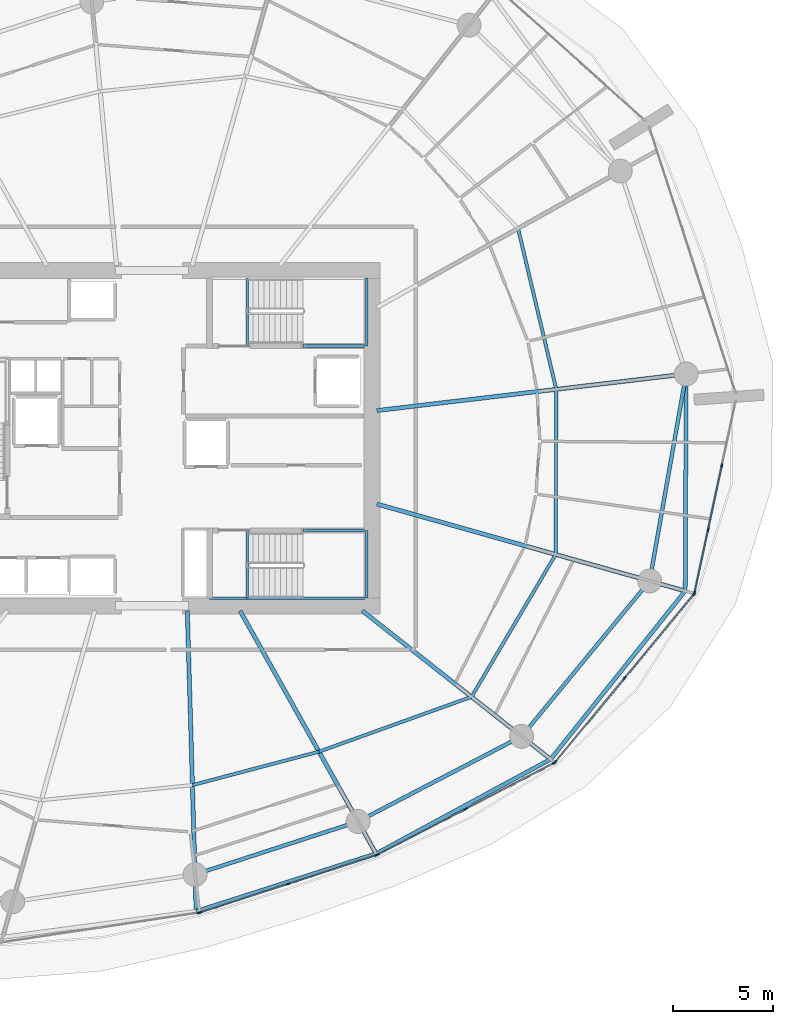
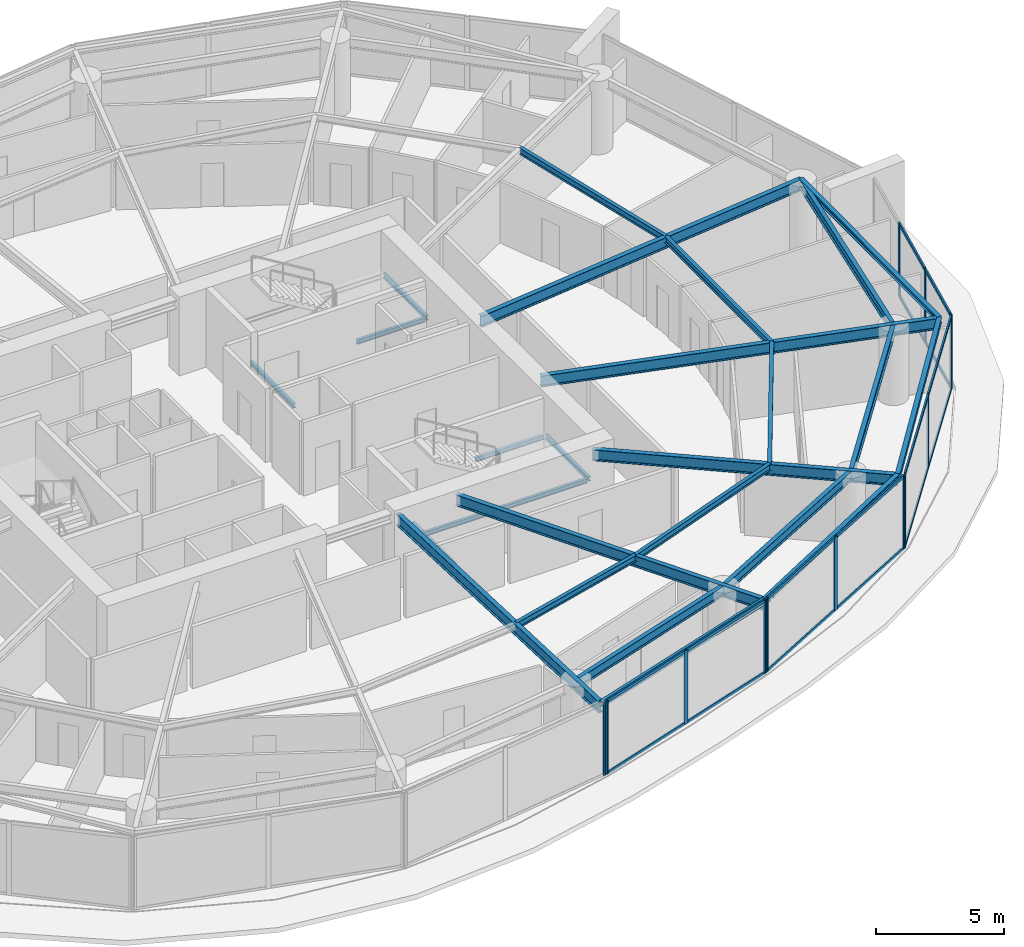
# One storey, part 7 of 17: 29 members, 25 beams, 5 elements without a shape of their own.
"""IFC4 building model written with IfcOpenShell, lengths in metres."""

from ifc_helpers import new_model, si_unit, direction, frame, origin, origin_2d, place, context, subcontext, project, spatial, rectangle, i_section, extrude, material, layer, layer_set, material_profile, profile_set, type_object, element, aggregate, save


model = new_model("IFC4")

# Units and contexts
model_context = context("Model", 3, precision=1e-05, world=origin(), true_north=direction((0.0, 1.0)))
body_context = subcontext(model_context, "Body", "Model", "MODEL_VIEW")
ifc_project = project(units=[si_unit("LENGTHUNIT", "METRE"), si_unit("AREAUNIT", "SQUARE_METRE"), si_unit("VOLUMEUNIT", "CUBIC_METRE"), si_unit("PLANEANGLEUNIT", "RADIAN"), si_unit("MASSUNIT", "GRAM", prefix="KILO")], contexts=[model_context])

# Site, building, storey
site_placement = place(None, origin())
site = spatial("IfcSite", under=ifc_project, at=site_placement, CompositionType="ELEMENT")
building_placement = place(site_placement, origin())
building = spatial("IfcBuilding", under=site, at=building_placement, Name="Kazma Halo Residences", CompositionType="ELEMENT")
storey_placement = place(building_placement, frame((0.0, 0.0, 75.14990234375)))
storey = spatial("IfcBuildingStorey", under=building, at=storey_placement, Name="L18", CompositionType="ELEMENT", Elevation=75.14990234375)

# Beams
ifc_material_1 = material(Name="Steel S355", Category="steel")
ifc_material_profile_1 = material_profile(ifc_material_1, i_section(OverallWidth=0.201904296875, OverallDepth=0.2470703125, WebThickness=0.00732421875, FlangeThickness=0.010986328125, FilletRadius=0.011962890625, at=origin_2d()), Name="W250x49.1")
ifc_profile_set_1 = profile_set([ifc_material_profile_1], Name="Steel S355")
beam_type_1 = type_object("IfcBeamType", Name="BM-BAL-CANT", PredefinedType="BEAM", material=ifc_profile_set_1)
beam_1_placement = place(storey_placement, frame((50.642578125, 18.28173828125, 3.376708984375), z_axis=(0.952319061301, 0.305103925709, 0.0), x_axis=(-0.305103925709, 0.952319061301, 0.0)))
element("IfcBeam", 1, at=beam_1_placement, inside=storey, type_object=beam_type_1, Name="L18 wave-balcony tie beam 12", PredefinedType="BEAM", context=body_context, shape_type="SweptSolid", body=[
    extrude(i_section(OverallWidth=0.201904296875, OverallDepth=0.2470703125, WebThickness=0.00732421875, FlangeThickness=0.010986328125, FilletRadius=0.011962890625, at=origin_2d()), origin(), (0.0, 0.0, 1.0), 9.473388671875),
])
beam_2_placement = place(storey_placement, frame((59.664306640625, 21.172119140625, 3.376708984375), z_axis=(0.87930438671, 0.476260218276, 0.0), x_axis=(-0.476260218276, 0.87930438671, 0.0)))
element("IfcBeam", 2, at=beam_2_placement, inside=storey, type_object=beam_type_1, Name="L18 wave-balcony tie beam 13", PredefinedType="BEAM", context=body_context, shape_type="SweptSolid", body=[
    extrude(i_section(OverallWidth=0.201904296875, OverallDepth=0.2470703125, WebThickness=0.00732421875, FlangeThickness=0.010986328125, FilletRadius=0.011962890625, at=origin_2d()), origin(), (0.0, 0.0, 1.0), 9.94677734375),
])
beam_3_placement = place(storey_placement, frame((68.41064453125, 25.909423828125, 3.376708984375), z_axis=(0.62477775999, 0.78080263231, 0.0), x_axis=(-0.78080263231, 0.62477775999, 0.0)))
element("IfcBeam", 3, at=beam_3_placement, inside=storey, type_object=beam_type_1, Name="L18 wave-balcony tie beam 14", PredefinedType="BEAM", context=body_context, shape_type="SweptSolid", body=[
    extrude(i_section(OverallWidth=0.201904296875, OverallDepth=0.2470703125, WebThickness=0.00732421875, FlangeThickness=0.010986328125, FilletRadius=0.011962890625, at=origin_2d()), origin(), (0.0, 0.0, 1.0), 10.79833984375),
])
beam_4_placement = place(storey_placement, frame((75.1572265625, 34.3408203125, 3.376708984375), z_axis=(0.004532963616, 0.999989726068, 0.0), x_axis=(-0.999989726068, 0.004532963616, 0.0)))
element("IfcBeam", 4, at=beam_4_placement, inside=storey, type_object=beam_type_1, Name="L18 wave-balcony tie beam 15", PredefinedType="BEAM", context=body_context, shape_type="SweptSolid", body=[
    extrude(i_section(OverallWidth=0.201904296875, OverallDepth=0.2470703125, WebThickness=0.00732421875, FlangeThickness=0.010986328125, FilletRadius=0.011962890625, at=origin_2d()), origin(), (0.0, 0.0, 1.0), 10.87939453125),
])
ifc_material_profile_2 = material_profile(ifc_material_1, i_section(OverallWidth=0.208984375, OverallDepth=0.532958984375, WebThickness=0.01025390625, FlangeThickness=0.015625, FilletRadius=0.01611328125, at=origin_2d()), Name="W530x92")
ifc_profile_set_2 = profile_set([ifc_material_profile_2], Name="Steel S355")
beam_type_2 = type_object("IfcBeamType", Name="BM-RAD-W530", PredefinedType="BEAM", material=ifc_profile_set_2)
beam_5_placement = place(storey_placement, frame((50.199951171875, 33.35009765625, 3.233642578125), z_axis=(0.029361929959, -0.999568845587, 0.0), x_axis=(0.999568845587, 0.029361929959, 0.0)))
element("IfcBeam", 5, at=beam_5_placement, inside=storey, type_object=beam_type_2, Name="L18 radial floor beam 12", PredefinedType="BEAM", context=body_context, shape_type="SweptSolid", body=[
    extrude(i_section(OverallWidth=0.208984375, OverallDepth=0.532958984375, WebThickness=0.01025390625, FlangeThickness=0.015625, FilletRadius=0.01611328125, at=origin_2d()), origin(), (0.0, 0.0, 1.0), 15.074951171875),
])
beam_6_placement = place(storey_placement, frame((52.84423828125, 33.35009765625, 3.233642578125), z_axis=(0.488625206529, -0.872493786536, 0.0), x_axis=(0.872493786536, 0.488625206529, 0.0)))
element("IfcBeam", 6, at=beam_6_placement, inside=storey, type_object=beam_type_2, Name="L18 radial floor beam 13", PredefinedType="BEAM", context=body_context, shape_type="SweptSolid", body=[
    extrude(i_section(OverallWidth=0.208984375, OverallDepth=0.532958984375, WebThickness=0.01025390625, FlangeThickness=0.015625, FilletRadius=0.01611328125, at=origin_2d()), origin(), (0.0, 0.0, 1.0), 13.957763671875),
])
beam_7_placement = place(storey_placement, frame((58.972412109375, 33.35009765625, 3.233642578125), z_axis=(0.785309999923, -0.619102741086, 0.0), x_axis=(0.619102741086, 0.785309999923, 0.0)))
element("IfcBeam", 7, at=beam_7_placement, inside=storey, type_object=beam_type_2, Name="L18 radial floor beam 14", PredefinedType="BEAM", context=body_context, shape_type="SweptSolid", body=[
    extrude(i_section(OverallWidth=0.208984375, OverallDepth=0.532958984375, WebThickness=0.01025390625, FlangeThickness=0.015625, FilletRadius=0.01611328125, at=origin_2d()), origin(), (0.0, 0.0, 1.0), 12.0185546875),
])
beam_8_placement = place(storey_placement, frame((59.699951171875, 38.7001953125, 3.233642578125), z_axis=(0.962455684158, -0.271438862419, 0.0), x_axis=(0.271438862419, 0.962455684158, 0.0)))
element("IfcBeam", 8, at=beam_8_placement, inside=storey, type_object=beam_type_2, Name="L18 radial floor beam 15", PredefinedType="BEAM", context=body_context, shape_type="SweptSolid", body=[
    extrude(i_section(OverallWidth=0.208984375, OverallDepth=0.532958984375, WebThickness=0.01025390625, FlangeThickness=0.015625, FilletRadius=0.01611328125, at=origin_2d()), origin(), (0.0, 0.0, 1.0), 16.060302734375),
])
beam_9_placement = place(storey_placement, frame((59.699951171875, 43.384765625, 3.233642578125), z_axis=(0.993067536486, 0.1175451742, 0.0), x_axis=(-0.1175451742, 0.993067536486, 0.0)))
element("IfcBeam", 9, at=beam_9_placement, inside=storey, type_object=beam_type_2, Name="L18 radial floor beam 16", PredefinedType="BEAM", context=body_context, shape_type="SweptSolid", body=[
    extrude(i_section(OverallWidth=0.208984375, OverallDepth=0.532958984375, WebThickness=0.01025390625, FlangeThickness=0.015625, FilletRadius=0.01611328125, at=origin_2d()), origin(), (0.0, 0.0, 1.0), 15.61474609375),
])
ifc_material_profile_3 = material_profile(ifc_material_1, i_section(OverallWidth=0.1650390625, OverallDepth=0.31005859375, WebThickness=0.005859375, FlangeThickness=0.009765625, FilletRadius=0.011962890625, at=origin_2d()), Name="W310x38.7")
ifc_profile_set_3 = profile_set([ifc_material_profile_3], Name="Steel S355")
beam_type_3 = type_object("IfcBeamType", Name="BM-SEC-W310B", PredefinedType="JOIST", material=ifc_profile_set_3)
beam_10_placement = place(storey_placement, frame((50.456787109375, 24.6103515625, 3.34521484375), z_axis=(0.966800191214, 0.255533540398, 0.0), x_axis=(-0.255533540398, 0.966800191214, 0.0)))
element("IfcBeam", 10, at=beam_10_placement, inside=storey, type_object=beam_type_3, Name="L18 circumferential floor joist 12", PredefinedType="JOIST", context=body_context, shape_type="SweptSolid", body=[
    extrude(i_section(OverallWidth=0.1650390625, OverallDepth=0.31005859375, WebThickness=0.005859375, FlangeThickness=0.009765625, FilletRadius=0.011962890625, at=origin_2d()), origin(), (0.0, 0.0, 1.0), 6.560791015625),
])
beam_11_placement = place(storey_placement, frame((56.7998046875, 26.286865234375, 3.34521484375), z_axis=(0.941097126818, 0.338136359913, 0.0), x_axis=(-0.338136359913, 0.941097126818, 0.0)))
element("IfcBeam", 11, at=beam_11_placement, inside=storey, type_object=beam_type_3, Name="L18 circumferential floor joist 13", PredefinedType="JOIST", context=body_context, shape_type="SweptSolid", body=[
    extrude(i_section(OverallWidth=0.1650390625, OverallDepth=0.31005859375, WebThickness=0.005859375, FlangeThickness=0.009765625, FilletRadius=0.011962890625, at=origin_2d()), origin(), (0.0, 0.0, 1.0), 8.12548828125),
])
beam_12_placement = place(storey_placement, frame((64.44677734375, 29.034423828125, 3.34521484375), z_axis=(0.508811652677, 0.860877867122, 0.0), x_axis=(-0.860877867122, 0.508811652677, 0.0)))
element("IfcBeam", 12, at=beam_12_placement, inside=storey, type_object=beam_type_3, Name="L18 circumferential floor joist 14", PredefinedType="JOIST", context=body_context, shape_type="SweptSolid", body=[
    extrude(i_section(OverallWidth=0.1650390625, OverallDepth=0.31005859375, WebThickness=0.005859375, FlangeThickness=0.009765625, FilletRadius=0.011962890625, at=origin_2d()), origin(), (0.0, 0.0, 1.0), 8.291015625),
])
beam_13_placement = place(storey_placement, frame((68.665283203125, 36.171875, 3.34521484375), z_axis=(0.003450899697, 0.999994045628, 0.0), x_axis=(-0.999994045628, 0.003450899697, 0.0)))
element("IfcBeam", 13, at=beam_13_placement, inside=storey, type_object=beam_type_3, Name="L18 circumferential floor joist 15", PredefinedType="JOIST", context=body_context, shape_type="SweptSolid", body=[
    extrude(i_section(OverallWidth=0.1650390625, OverallDepth=0.31005859375, WebThickness=0.005859375, FlangeThickness=0.009765625, FilletRadius=0.011962890625, at=origin_2d()), origin(), (0.0, 0.0, 1.0), 8.27734375),
])
beam_14_placement = place(storey_placement, frame((68.69384765625, 44.44921875, 3.34521484375), z_axis=(-0.231087064161, 0.972933075179, 0.0), x_axis=(-0.972933075179, -0.231087064161, 0.0)))
element("IfcBeam", 14, at=beam_14_placement, inside=storey, type_object=beam_type_3, Name="L18 circumferential floor joist 16", PredefinedType="JOIST", context=body_context, shape_type="SweptSolid", body=[
    extrude(i_section(OverallWidth=0.1650390625, OverallDepth=0.31005859375, WebThickness=0.005859375, FlangeThickness=0.009765625, FilletRadius=0.011962890625, at=origin_2d()), origin(), (0.0, 0.0, 1.0), 8.291259765625),
])
ifc_material_profile_4 = material_profile(ifc_material_1, i_section(OverallWidth=0.18994140625, OverallDepth=0.45703125, WebThickness=0.009033203125, FlangeThickness=0.014404296875, FilletRadius=0.01611328125, at=origin_2d()), Name="W460x74")
ifc_profile_set_4 = profile_set([ifc_material_profile_4], Name="Steel S355")
beam_type_4 = type_object("IfcBeamType", Name="BM-SPN-W460", PredefinedType="BEAM", material=ifc_profile_set_4)
beam_15_placement = place(storey_placement, frame((50.58837890625, 20.130859375, 3.271484375), z_axis=(0.951054111927, 0.30902439416, 0.0), x_axis=(-0.30902439416, 0.951054111927, 0.0)))
element("IfcBeam", 15, at=beam_15_placement, inside=storey, type_object=beam_type_4, Name="L18 perimeter ring beam 12", PredefinedType="BEAM", context=body_context, shape_type="SweptSolid", body=[
    extrude(i_section(OverallWidth=0.18994140625, OverallDepth=0.45703125, WebThickness=0.009033203125, FlangeThickness=0.014404296875, FilletRadius=0.01611328125, at=origin_2d()), origin(), (0.0, 0.0, 1.0), 8.592529296875),
])
beam_16_placement = place(storey_placement, frame((58.76025390625, 22.7861328125, 3.271484375), z_axis=(0.886963229644, 0.461840047266, 0.0), x_axis=(-0.461840047266, 0.886963229644, 0.0)))
element("IfcBeam", 16, at=beam_16_placement, inside=storey, type_object=beam_type_4, Name="L18 perimeter ring beam 13", PredefinedType="BEAM", context=body_context, shape_type="SweptSolid", body=[
    extrude(i_section(OverallWidth=0.18994140625, OverallDepth=0.45703125, WebThickness=0.009033203125, FlangeThickness=0.014404296875, FilletRadius=0.01611328125, at=origin_2d()), origin(), (0.0, 0.0, 1.0), 9.242431640625),
])
beam_17_placement = place(storey_placement, frame((66.9580078125, 27.0546875, 3.271484375), z_axis=(0.635989564566, 0.771697656963, 0.0), x_axis=(-0.771697656963, 0.635989564566, 0.0)))
element("IfcBeam", 17, at=beam_17_placement, inside=storey, type_object=beam_type_4, Name="L18 perimeter ring beam 14", PredefinedType="BEAM", context=body_context, shape_type="SweptSolid", body=[
    extrude(i_section(OverallWidth=0.18994140625, OverallDepth=0.45703125, WebThickness=0.009033203125, FlangeThickness=0.014404296875, FilletRadius=0.01611328125, at=origin_2d()), origin(), (0.0, 0.0, 1.0), 10.092529296875),
])
beam_18_placement = place(storey_placement, frame((73.376708984375, 34.843017578125, 3.271484375), z_axis=(0.173653159051, 0.984806874647, 0.0), x_axis=(-0.984806874647, 0.173653159051, 0.0)))
element("IfcBeam", 18, at=beam_18_placement, inside=storey, type_object=beam_type_4, Name="L18 perimeter ring beam 15", PredefinedType="BEAM", context=body_context, shape_type="SweptSolid", body=[
    extrude(i_section(OverallWidth=0.18994140625, OverallDepth=0.45703125, WebThickness=0.009033203125, FlangeThickness=0.014404296875, FilletRadius=0.01611328125, at=origin_2d()), origin(), (0.0, 0.0, 1.0), 10.537353515625),
])
ifc_material_profile_5 = material_profile(ifc_material_1, i_section(OverallWidth=0.133056640625, OverallDepth=0.20703125, WebThickness=0.005859375, FlangeThickness=0.00830078125, FilletRadius=0.010009765625, at=origin_2d()), Name="W200x26.6")
ifc_profile_set_5 = profile_set([ifc_material_profile_5], Name="Steel S355")
beam_type_5 = type_object("IfcBeamType", Name="BM-TRIM-W200", PredefinedType="BEAM", material=ifc_profile_set_5)
for number, where, z_axis, x_axis, name in (
    (19, (53.199951171875, 46.6201171875, -0.510009765625), (0.0, 1.0, 0.0), (-1.0, 0.0, 0.0), "L18 ST-02 floor landing support beam"),
    (20, (53.199951171875, 34.0, -0.510009765625), (0.0, 1.0, 0.0), (-1.0, 0.0, 0.0), "L18 ST-03 floor landing support beam"),
):
    element("IfcBeam", number, at=place(storey_placement, frame(where, z_axis=z_axis, x_axis=x_axis)), inside=storey, type_object=beam_type_5, Name=name, PredefinedType="BEAM", context=body_context, shape_type="SweptSolid", body=[
        extrude(i_section(OverallWidth=0.133056640625, OverallDepth=0.20703125, WebThickness=0.005859375, FlangeThickness=0.00830078125, FilletRadius=0.010009765625, at=origin_2d()), origin(), (0.0, 0.0, 1.0), 3.3798828125),
    ])
beam_19_placement = place(storey_placement, frame((56.0, 46.6201171875, 1.570068359375), z_axis=(1.0, 0.0, 0.0), x_axis=(0.0, 1.0, 0.0)))
element("IfcBeam", 21, at=beam_19_placement, inside=storey, type_object=beam_type_5, Name="L18 ST-02 landing south wall ledger", PredefinedType="BEAM", context=body_context, shape_type="SweptSolid", body=[
    extrude(i_section(OverallWidth=0.133056640625, OverallDepth=0.20703125, WebThickness=0.005859375, FlangeThickness=0.00830078125, FilletRadius=0.010009765625, at=origin_2d()), origin(), (0.0, 0.0, 1.0), 3.070068359375),
])
beam_20_placement = place(storey_placement, frame((59.18994140625, 46.6201171875, 1.570068359375), z_axis=(0.0, 1.0, 0.0), x_axis=(-1.0, 0.0, 0.0)))
element("IfcBeam", 22, at=beam_20_placement, inside=storey, type_object=beam_type_5, Name="L18 ST-02 landing end wall ledger", PredefinedType="BEAM", context=body_context, shape_type="SweptSolid", body=[
    extrude(i_section(OverallWidth=0.133056640625, OverallDepth=0.20703125, WebThickness=0.005859375, FlangeThickness=0.00830078125, FilletRadius=0.010009765625, at=origin_2d()), origin(), (0.0, 0.0, 1.0), 3.39990234375),
])
beam_21_placement = place(storey_placement, frame((51.31005859375, 33.97998046875, 1.570068359375), z_axis=(1.0, 0.0, 0.0), x_axis=(0.0, 1.0, 0.0)))
element("IfcBeam", 23, at=beam_21_placement, inside=storey, type_object=beam_type_5, Name="L18 ST-03 landing south wall ledger", PredefinedType="BEAM", context=body_context, shape_type="SweptSolid", body=[
    extrude(i_section(OverallWidth=0.133056640625, OverallDepth=0.20703125, WebThickness=0.005859375, FlangeThickness=0.00830078125, FilletRadius=0.010009765625, at=origin_2d()), origin(), (0.0, 0.0, 1.0), 7.760009765625),
])
beam_22_placement = place(storey_placement, frame((56.0, 37.3798828125, 1.570068359375), z_axis=(1.0, 0.0, 0.0), x_axis=(0.0, 1.0, 0.0)))
element("IfcBeam", 24, at=beam_22_placement, inside=storey, type_object=beam_type_5, Name="L18 ST-03 landing north wall ledger", PredefinedType="BEAM", context=body_context, shape_type="SweptSolid", body=[
    extrude(i_section(OverallWidth=0.133056640625, OverallDepth=0.20703125, WebThickness=0.005859375, FlangeThickness=0.00830078125, FilletRadius=0.010009765625, at=origin_2d()), origin(), (0.0, 0.0, 1.0), 3.070068359375),
])
beam_23_placement = place(storey_placement, frame((59.18994140625, 33.97998046875, 1.570068359375), z_axis=(0.0, 1.0, 0.0), x_axis=(-1.0, 0.0, 0.0)))
element("IfcBeam", 25, at=beam_23_placement, inside=storey, type_object=beam_type_5, Name="L18 ST-03 landing end wall ledger", PredefinedType="BEAM", context=body_context, shape_type="SweptSolid", body=[
    extrude(i_section(OverallWidth=0.133056640625, OverallDepth=0.20703125, WebThickness=0.005859375, FlangeThickness=0.00830078125, FilletRadius=0.010009765625, at=origin_2d()), origin(), (0.0, 0.0, 1.0), 3.39990234375),
])

# Curtain wall, member
ifc_material_2 = material(Name="Aluminium AW-6063 T6 and Triple-Silver Low-E Glass", Category="aluminium")
ifc_layer = layer(ifc_material_2, 0.199951171875)
ifc_layer_set = layer_set([ifc_layer], Name="Aluminium AW-6063 T6 and Triple-Silver Low-E Glass")
curtain_wall_type = type_object("IfcCurtainWallType", Name="CW-SYS-3", PredefinedType="NOTDEFINED", material=ifc_layer_set)
curtain_wall_1_placement = place(storey_placement, origin())
curtain_wall_1 = element("IfcCurtainWall", 26, at=curtain_wall_1_placement, inside=storey, type_object=curtain_wall_type, Name="L18 unitised curtain wall B11", PredefinedType="NOTDEFINED")
ifc_material_3 = material(Name="Aluminium AW-6063 T6", Category="aluminium")
ifc_material_profile_6 = material_profile(ifc_material_3, rectangle(XDim=0.070068359375, YDim=0.199951171875, at=origin_2d()), Name="CWM-70x200")
ifc_profile_set_6 = profile_set([ifc_material_profile_6], Name="Aluminium AW-6063 T6")
member_type_1 = type_object("IfcMemberType", Name="CW-SYS-3-MUL", PredefinedType="MULLION", material=ifc_profile_set_6)
member_1_placement = place(storey_placement, frame((50.780029296875, 18.21337890625, 0.0), z_axis=(0.0, 0.0, 1.0), x_axis=(-0.148717330409, 0.988879747814, 0.0)))
member_1 = element("IfcMember", 27, at=member_1_placement, type_object=member_type_1, Name="CWS-3 mullion 3", PredefinedType="MULLION", context=body_context, shape_type="SweptSolid", body=[
    extrude(rectangle(XDim=0.070068359375, YDim=0.199951171875, at=origin_2d()), origin(), (0.0, 0.0, 1.0), 3.5),
])
aggregate(curtain_wall_1, [member_1])

# Curtain wall, members
curtain_wall_2_placement = place(storey_placement, origin())
curtain_wall_2 = element("IfcCurtainWall", 28, at=curtain_wall_2_placement, inside=storey, type_object=curtain_wall_type, Name="L18 unitised curtain wall B12", PredefinedType="NOTDEFINED")
member_2_placement = place(storey_placement, frame((50.847900390625, 18.229248046875, 0.0), z_axis=(0.0, 0.0, 1.0), x_axis=(-0.309017102734, 0.951056481087, 0.0)))
member_2 = element("IfcMember", 29, at=member_2_placement, type_object=member_type_1, Name="CWS-3 mullion 1", PredefinedType="MULLION", context=body_context, shape_type="SweptSolid", body=[
    extrude(rectangle(XDim=0.070068359375, YDim=0.199951171875, at=origin_2d()), origin(), (0.0, 0.0, 1.0), 3.5),
])
member_3_placement = place(storey_placement, frame((55.258056640625, 19.662109375, 0.0), z_axis=(0.0, 0.0, 1.0), x_axis=(-0.309017102734, 0.951056481087, 0.0)))
member_3 = element("IfcMember", 30, at=member_3_placement, type_object=member_type_1, Name="CWS-3 mullion 2", PredefinedType="MULLION", context=body_context, shape_type="SweptSolid", body=[
    extrude(rectangle(XDim=0.070068359375, YDim=0.199951171875, at=origin_2d()), origin(), (0.0, 0.0, 1.0), 3.5),
])
member_4_placement = place(storey_placement, frame((59.66796875, 21.094970703125, 0.0), z_axis=(0.0, 0.0, 1.0), x_axis=(-0.309017102734, 0.951056481087, 0.0)))
member_4 = element("IfcMember", 31, at=member_4_placement, type_object=member_type_1, Name="CWS-3 mullion 3", PredefinedType="MULLION", context=body_context, shape_type="SweptSolid", body=[
    extrude(rectangle(XDim=0.070068359375, YDim=0.199951171875, at=origin_2d()), origin(), (0.0, 0.0, 1.0), 3.5),
])

curtain_wall_3_placement = place(storey_placement, origin())
curtain_wall_3 = element("IfcCurtainWall", 32, at=curtain_wall_3_placement, inside=storey, type_object=curtain_wall_type, Name="L18 unitised curtain wall B13", PredefinedType="NOTDEFINED")
member_5_placement = place(storey_placement, frame((59.732177734375, 21.1220703125, 0.0), z_axis=(0.0, 0.0, 1.0), x_axis=(-0.460932159481, 0.887435374749, 0.0)))
member_5 = element("IfcMember", 33, at=member_5_placement, type_object=member_type_1, Name="CWS-3 mullion 1", PredefinedType="MULLION", context=body_context, shape_type="SweptSolid", body=[
    extrude(rectangle(XDim=0.070068359375, YDim=0.199951171875, at=origin_2d()), origin(), (0.0, 0.0, 1.0), 3.5),
])
member_6_placement = place(storey_placement, frame((64.1630859375, 23.42333984375, 0.0), z_axis=(0.0, 0.0, 1.0), x_axis=(-0.460932159481, 0.887435374749, 0.0)))
member_6 = element("IfcMember", 34, at=member_6_placement, type_object=member_type_1, Name="CWS-3 mullion 2", PredefinedType="MULLION", context=body_context, shape_type="SweptSolid", body=[
    extrude(rectangle(XDim=0.070068359375, YDim=0.199951171875, at=origin_2d()), origin(), (0.0, 0.0, 1.0), 3.5),
])
member_7_placement = place(storey_placement, frame((68.59375, 25.724609375, 0.0), z_axis=(0.0, 0.0, 1.0), x_axis=(-0.460932159481, 0.887435374749, 0.0)))
member_7 = element("IfcMember", 35, at=member_7_placement, type_object=member_type_1, Name="CWS-3 mullion 3", PredefinedType="MULLION", context=body_context, shape_type="SweptSolid", body=[
    extrude(rectangle(XDim=0.070068359375, YDim=0.199951171875, at=origin_2d()), origin(), (0.0, 0.0, 1.0), 3.5),
])

curtain_wall_4_placement = place(storey_placement, origin())
curtain_wall_4 = element("IfcCurtainWall", 36, at=curtain_wall_4_placement, inside=storey, type_object=curtain_wall_type, Name="L18 unitised curtain wall B14", PredefinedType="NOTDEFINED")
member_8_placement = place(storey_placement, frame((68.64697265625, 25.767822265625, 0.0), z_axis=(0.0, 0.0, 1.0), x_axis=(-0.771094672829, 0.636720508179, 0.0)))
member_8 = element("IfcMember", 37, at=member_8_placement, type_object=member_type_1, Name="CWS-3 mullion 1", PredefinedType="MULLION", context=body_context, shape_type="SweptSolid", body=[
    extrude(rectangle(XDim=0.070068359375, YDim=0.199951171875, at=origin_2d()), origin(), (0.0, 0.0, 1.0), 3.5),
])
member_9_placement = place(storey_placement, frame((72.121826171875, 29.975830078125, 0.0), z_axis=(0.0, 0.0, 1.0), x_axis=(-0.771094672829, 0.636720508179, 0.0)))
member_9 = element("IfcMember", 38, at=member_9_placement, type_object=member_type_1, Name="CWS-3 mullion 2", PredefinedType="MULLION", context=body_context, shape_type="SweptSolid", body=[
    extrude(rectangle(XDim=0.070068359375, YDim=0.199951171875, at=origin_2d()), origin(), (0.0, 0.0, 1.0), 3.5),
])
member_10_placement = place(storey_placement, frame((75.596435546875, 34.18359375, 0.0), z_axis=(0.0, 0.0, 1.0), x_axis=(-0.771094672829, 0.636720508179, 0.0)))
member_10 = element("IfcMember", 39, at=member_10_placement, type_object=member_type_1, Name="CWS-3 mullion 3", PredefinedType="MULLION", context=body_context, shape_type="SweptSolid", body=[
    extrude(rectangle(XDim=0.070068359375, YDim=0.199951171875, at=origin_2d()), origin(), (0.0, 0.0, 1.0), 3.5),
])

curtain_wall_5_placement = place(storey_placement, origin())
curtain_wall_5 = element("IfcCurtainWall", 40, at=curtain_wall_5_placement, inside=storey, type_object=curtain_wall_type, Name="L18 unitised curtain wall B15", PredefinedType="NOTDEFINED")
member_11_placement = place(storey_placement, frame((75.6259765625, 34.244873046875, 0.0), z_axis=(0.0, 0.0, 1.0), x_axis=(-0.977774176093, 0.209660822677, 0.0)))
member_11 = element("IfcMember", 41, at=member_11_placement, type_object=member_type_1, Name="CWS-3 mullion 1", PredefinedType="MULLION", context=body_context, shape_type="SweptSolid", body=[
    extrude(rectangle(XDim=0.070068359375, YDim=0.199951171875, at=origin_2d()), origin(), (0.0, 0.0, 1.0), 3.5),
])
member_12_placement = place(storey_placement, frame((76.30712890625, 37.4208984375, 0.0), z_axis=(0.0, 0.0, 1.0), x_axis=(-0.977774176093, 0.209660822677, 0.0)))
member_12 = element("IfcMember", 42, at=member_12_placement, type_object=member_type_1, Name="CWS-3 mullion 2", PredefinedType="MULLION", context=body_context, shape_type="SweptSolid", body=[
    extrude(rectangle(XDim=0.070068359375, YDim=0.199951171875, at=origin_2d()), origin(), (0.0, 0.0, 1.0), 3.5),
])
member_13_placement = place(storey_placement, frame((76.995361328125, 40.63134765625, 0.0), z_axis=(0.0, 0.0, 1.0), x_axis=(-0.977774176093, 0.209660822677, 0.0)))
member_13 = element("IfcMember", 43, at=member_13_placement, type_object=member_type_1, Name="CWS-3 mullion 3", PredefinedType="MULLION", context=body_context, shape_type="SweptSolid", body=[
    extrude(rectangle(XDim=0.070068359375, YDim=0.199951171875, at=origin_2d()), origin(), (0.0, 0.0, 1.0), 3.5),
])

# Member
ifc_material_profile_7 = material_profile(ifc_material_3, rectangle(XDim=0.070068359375, YDim=0.14990234375, at=origin_2d()), Name="CWT-70x150")
ifc_profile_set_7 = profile_set([ifc_material_profile_7], Name="Aluminium AW-6063 T6")
member_type_2 = type_object("IfcMemberType", Name="CW-SYS-3-TRN", PredefinedType="USERDEFINED", material=ifc_profile_set_7)
member_14_placement = place(storey_placement, frame((50.88134765625, 18.240234375, 0.03515625), z_axis=(0.951061565824, 0.30900145309, 0.0), x_axis=(-0.30900145309, 0.951061565824, 0.0)))
member_14 = element("IfcMember", 44, at=member_14_placement, type_object=member_type_2, Name="CWS-3 transom 1.1", ObjectType="TRANSOM", PredefinedType="USERDEFINED", context=body_context, shape_type="SweptSolid", body=[
    extrude(rectangle(XDim=0.070068359375, YDim=0.14990234375, at=origin_2d()), origin(), (0.0, 0.0, 1.0), 4.566650390625),
])

member_15_placement = place(storey_placement, frame((50.88134765625, 18.240234375, 3.465087890625), z_axis=(0.951061565824, 0.30900145309, 0.0), x_axis=(-0.30900145309, 0.951061565824, 0.0)))
member_15 = element("IfcMember", 45, at=member_15_placement, type_object=member_type_2, Name="CWS-3 transom 1.2", ObjectType="TRANSOM", PredefinedType="USERDEFINED", context=body_context, shape_type="SweptSolid", body=[
    extrude(rectangle(XDim=0.070068359375, YDim=0.14990234375, at=origin_2d()), origin(), (0.0, 0.0, 1.0), 4.566650390625),
])

member_16_placement = place(storey_placement, frame((55.291259765625, 19.673095703125, 0.03515625), z_axis=(0.951061565824, 0.30900145309, 0.0), x_axis=(-0.30900145309, 0.951061565824, 0.0)))
member_16 = element("IfcMember", 46, at=member_16_placement, type_object=member_type_2, Name="CWS-3 transom 2.1", ObjectType="TRANSOM", PredefinedType="USERDEFINED", context=body_context, shape_type="SweptSolid", body=[
    extrude(rectangle(XDim=0.070068359375, YDim=0.14990234375, at=origin_2d()), origin(), (0.0, 0.0, 1.0), 4.566650390625),
])

member_17_placement = place(storey_placement, frame((55.291259765625, 19.673095703125, 3.465087890625), z_axis=(0.951061565824, 0.30900145309, 0.0), x_axis=(-0.30900145309, 0.951061565824, 0.0)))
member_17 = element("IfcMember", 47, at=member_17_placement, type_object=member_type_2, Name="CWS-3 transom 2.2", ObjectType="TRANSOM", PredefinedType="USERDEFINED", context=body_context, shape_type="SweptSolid", body=[
    extrude(rectangle(XDim=0.070068359375, YDim=0.14990234375, at=origin_2d()), origin(), (0.0, 0.0, 1.0), 4.566650390625),
])

aggregate(curtain_wall_2, [member_2, member_3, member_4, member_14, member_15, member_16, member_17])

member_18_placement = place(storey_placement, frame((59.763427734375, 21.13818359375, 0.03515625), z_axis=(0.887427024944, 0.460948235054, 0.0), x_axis=(-0.460948235054, 0.887427024944, 0.0)))
member_18 = element("IfcMember", 48, at=member_18_placement, type_object=member_type_2, Name="CWS-3 transom 1.1", ObjectType="TRANSOM", PredefinedType="USERDEFINED", context=body_context, shape_type="SweptSolid", body=[
    extrude(rectangle(XDim=0.070068359375, YDim=0.14990234375, at=origin_2d()), origin(), (0.0, 0.0, 1.0), 4.922607421875),
])

member_19_placement = place(storey_placement, frame((59.763427734375, 21.13818359375, 3.465087890625), z_axis=(0.887427024944, 0.460948235054, 0.0), x_axis=(-0.460948235054, 0.887427024944, 0.0)))
member_19 = element("IfcMember", 49, at=member_19_placement, type_object=member_type_2, Name="CWS-3 transom 1.2", ObjectType="TRANSOM", PredefinedType="USERDEFINED", context=body_context, shape_type="SweptSolid", body=[
    extrude(rectangle(XDim=0.070068359375, YDim=0.14990234375, at=origin_2d()), origin(), (0.0, 0.0, 1.0), 4.922607421875),
])

member_20_placement = place(storey_placement, frame((64.194091796875, 23.439453125, 0.03515625), z_axis=(0.887437562141, 0.460927948058, 0.0), x_axis=(-0.460927948058, 0.887437562141, 0.0)))
member_20 = element("IfcMember", 50, at=member_20_placement, type_object=member_type_2, Name="CWS-3 transom 2.1", ObjectType="TRANSOM", PredefinedType="USERDEFINED", context=body_context, shape_type="SweptSolid", body=[
    extrude(rectangle(XDim=0.070068359375, YDim=0.14990234375, at=origin_2d()), origin(), (0.0, 0.0, 1.0), 4.9228515625),
])

member_21_placement = place(storey_placement, frame((64.194091796875, 23.439453125, 3.465087890625), z_axis=(0.887437562141, 0.460927948058, 0.0), x_axis=(-0.460927948058, 0.887437562141, 0.0)))
member_21 = element("IfcMember", 51, at=member_21_placement, type_object=member_type_2, Name="CWS-3 transom 2.2", ObjectType="TRANSOM", PredefinedType="USERDEFINED", context=body_context, shape_type="SweptSolid", body=[
    extrude(rectangle(XDim=0.070068359375, YDim=0.14990234375, at=origin_2d()), origin(), (0.0, 0.0, 1.0), 4.9228515625),
])

aggregate(curtain_wall_3, [member_5, member_6, member_7, member_18, member_19, member_20, member_21])

member_22_placement = place(storey_placement, frame((68.66943359375, 25.794677734375, 0.03515625), z_axis=(0.63669638172, 0.771114594275, 0.0), x_axis=(-0.771114594275, 0.63669638172, 0.0)))
member_22 = element("IfcMember", 52, at=member_22_placement, type_object=member_type_2, Name="CWS-3 transom 1.1", ObjectType="TRANSOM", PredefinedType="USERDEFINED", context=body_context, shape_type="SweptSolid", body=[
    extrude(rectangle(XDim=0.070068359375, YDim=0.14990234375, at=origin_2d()), origin(), (0.0, 0.0, 1.0), 5.386962890625),
])

member_23_placement = place(storey_placement, frame((68.66943359375, 25.794677734375, 3.465087890625), z_axis=(0.63669638172, 0.771114594275, 0.0), x_axis=(-0.771114594275, 0.63669638172, 0.0)))
member_23 = element("IfcMember", 53, at=member_23_placement, type_object=member_type_2, Name="CWS-3 transom 1.2", ObjectType="TRANSOM", PredefinedType="USERDEFINED", context=body_context, shape_type="SweptSolid", body=[
    extrude(rectangle(XDim=0.070068359375, YDim=0.14990234375, at=origin_2d()), origin(), (0.0, 0.0, 1.0), 5.386962890625),
])

member_24_placement = place(storey_placement, frame((72.14404296875, 30.002685546875, 0.03515625), z_axis=(0.636723328447, 0.771092344023, 0.0), x_axis=(-0.771092344023, 0.636723328447, 0.0)))
member_24 = element("IfcMember", 54, at=member_24_placement, type_object=member_type_2, Name="CWS-3 transom 2.1", ObjectType="TRANSOM", PredefinedType="USERDEFINED", context=body_context, shape_type="SweptSolid", body=[
    extrude(rectangle(XDim=0.070068359375, YDim=0.14990234375, at=origin_2d()), origin(), (0.0, 0.0, 1.0), 5.38720703125),
])

member_25_placement = place(storey_placement, frame((72.14404296875, 30.002685546875, 3.465087890625), z_axis=(0.636723328447, 0.771092344023, 0.0), x_axis=(-0.771092344023, 0.636723328447, 0.0)))
member_25 = element("IfcMember", 55, at=member_25_placement, type_object=member_type_2, Name="CWS-3 transom 2.2", ObjectType="TRANSOM", PredefinedType="USERDEFINED", context=body_context, shape_type="SweptSolid", body=[
    extrude(rectangle(XDim=0.070068359375, YDim=0.14990234375, at=origin_2d()), origin(), (0.0, 0.0, 1.0), 5.38720703125),
])

aggregate(curtain_wall_4, [member_8, member_9, member_10, member_22, member_23, member_24, member_25])

member_26_placement = place(storey_placement, frame((75.63330078125, 34.279052734375, 0.03515625), z_axis=(0.209702197956, 0.977765303216, 0.0), x_axis=(-0.977765303216, 0.209702197956, 0.0)))
member_26 = element("IfcMember", 56, at=member_26_placement, type_object=member_type_2, Name="CWS-3 transom 1.1", ObjectType="TRANSOM", PredefinedType="USERDEFINED", context=body_context, shape_type="SweptSolid", body=[
    extrude(rectangle(XDim=0.070068359375, YDim=0.14990234375, at=origin_2d()), origin(), (0.0, 0.0, 1.0), 3.17822265625),
])

member_27_placement = place(storey_placement, frame((75.63330078125, 34.279052734375, 3.465087890625), z_axis=(0.209702197956, 0.977765303216, 0.0), x_axis=(-0.977765303216, 0.209702197956, 0.0)))
member_27 = element("IfcMember", 57, at=member_27_placement, type_object=member_type_2, Name="CWS-3 transom 1.2", ObjectType="TRANSOM", PredefinedType="USERDEFINED", context=body_context, shape_type="SweptSolid", body=[
    extrude(rectangle(XDim=0.070068359375, YDim=0.14990234375, at=origin_2d()), origin(), (0.0, 0.0, 1.0), 3.17822265625),
])

member_28_placement = place(storey_placement, frame((76.314453125, 37.455078125, 0.03515625), z_axis=(0.209627675811, 0.977781283076, 0.0), x_axis=(-0.977781283076, 0.209627675811, 0.0)))
member_28 = element("IfcMember", 58, at=member_28_placement, type_object=member_type_2, Name="CWS-3 transom 2.1", ObjectType="TRANSOM", PredefinedType="USERDEFINED", context=body_context, shape_type="SweptSolid", body=[
    extrude(rectangle(XDim=0.070068359375, YDim=0.14990234375, at=origin_2d()), origin(), (0.0, 0.0, 1.0), 3.213134765625),
])

member_29_placement = place(storey_placement, frame((76.314453125, 37.455078125, 3.465087890625), z_axis=(0.209627675811, 0.977781283076, 0.0), x_axis=(-0.977781283076, 0.209627675811, 0.0)))
member_29 = element("IfcMember", 59, at=member_29_placement, type_object=member_type_2, Name="CWS-3 transom 2.2", ObjectType="TRANSOM", PredefinedType="USERDEFINED", context=body_context, shape_type="SweptSolid", body=[
    extrude(rectangle(XDim=0.070068359375, YDim=0.14990234375, at=origin_2d()), origin(), (0.0, 0.0, 1.0), 3.213134765625),
])

aggregate(curtain_wall_5, [member_11, member_12, member_13, member_26, member_27, member_28, member_29])

save(model, "model.ifc")
